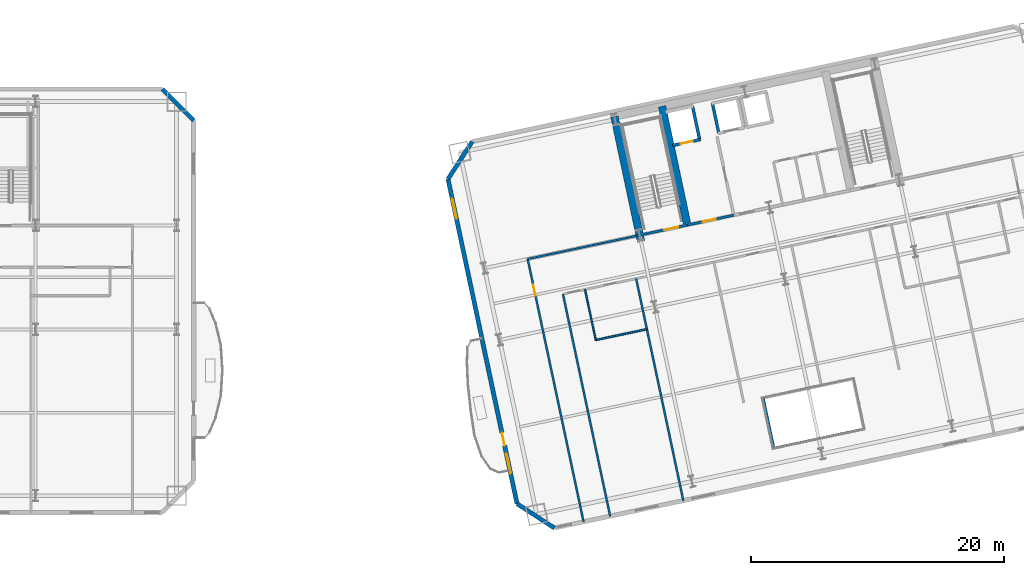
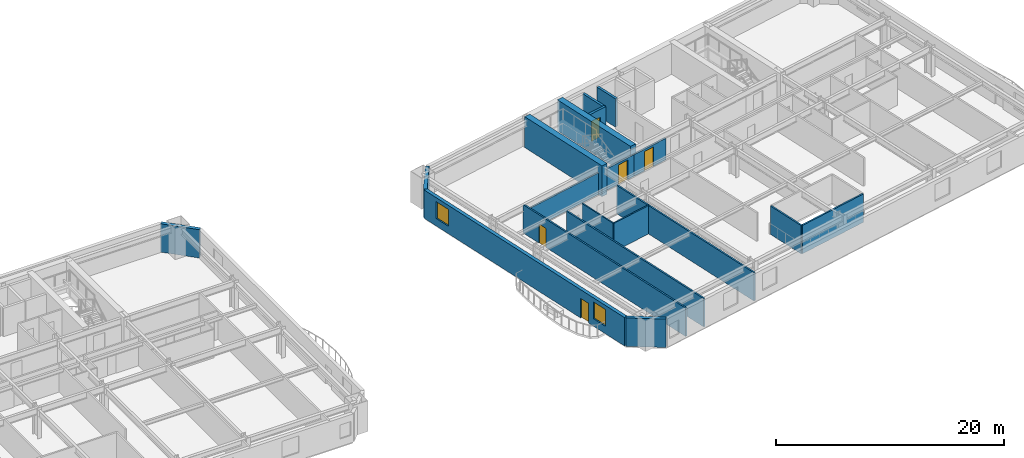
# One storey, part 7 of 16: 19 walls, 5 doors, 2 windows, 7 openings.
"""IFC4 building model written with IfcOpenShell, lengths in metres."""

from ifc_helpers import new_model, si_unit, direction, frame, frame_2d, origin, place, context, subcontext, project, spatial, rectangle, extrude, material, layer, layer_set, type_object, element, fill, save


model = new_model("IFC4")

# Units and contexts
model_context = context("Model", 3, precision=1e-05, world=origin(), true_north=direction((0.0, 1.0)))
body_context = subcontext(model_context, "Body", "Model", "MODEL_VIEW")
ifc_project = project(units=[si_unit("LENGTHUNIT", "METRE"), si_unit("AREAUNIT", "SQUARE_METRE"), si_unit("VOLUMEUNIT", "CUBIC_METRE"), si_unit("PLANEANGLEUNIT", "RADIAN"), si_unit("MASSUNIT", "GRAM", prefix="KILO")], contexts=[model_context])

# Site, building, storey
site_placement = place(None, origin())
site = spatial("IfcSite", under=ifc_project, at=site_placement, CompositionType="ELEMENT")
building_placement = place(site_placement, origin())
building = spatial("IfcBuilding", under=site, at=building_placement, Name="Haevon Station Towers", CompositionType="ELEMENT")
storey_placement = place(building_placement, frame((0.0, 0.0, 57.0)))
storey = spatial("IfcBuildingStorey", under=building, at=storey_placement, Name="L14", CompositionType="ELEMENT", Elevation=57.0)

# Wall, opening, door
ifc_material_1 = material(Name="Gypsum board on steel stud", Category="steel")
ifc_layer_1 = layer(ifc_material_1, 0.199951171875)
ifc_layer_set_1 = layer_set([ifc_layer_1], Name="Gypsum board on steel stud")
wall_type_1 = type_object("IfcWallType", Name="WL-COR200", PredefinedType="PARTITIONING", material=ifc_layer_set_1)
wall_1_placement = place(storey_placement, frame((98.75244140625, 37.4423828125, 0.0), z_axis=(0.0, 0.0, 1.0), x_axis=(0.978143537786, 0.207930804564, 0.0)))
wall_1 = element("IfcWall", 1, at=wall_1_placement, inside=storey, type_object=wall_type_1, Name="WL-ST-ST3-L14", PredefinedType="PARTITIONING", context=body_context, shape_type="SweptSolid", body=[
    extrude(rectangle(XDim=3.85009765625, YDim=0.199951171875, at=frame_2d((1.925048828125, 0.0))), origin(), (0.0, 0.0, 1.0), 2.330078125),
])
opening_1_placement = place(wall_1_placement, frame((2.0, 0.0, 0.0)))
opening_1 = element("IfcOpeningElement", 2, at=opening_1_placement, cuts=wall_1, Name="Opening DR-ST-ST3-L14", PredefinedType="OPENING", context=body_context, shape_type="SweptSolid", body=[
    extrude(rectangle(XDim=1.1201171875, YDim=2.10009765625, at=frame_2d((0.56005859375, 1.050048828125))), frame((0.0, 0.10986328125, 0.0), z_axis=(0.0, -1.0, 0.0), x_axis=(1.0, 0.0, 0.0)), (0.0, 0.0, 1.0), 0.219970703125),
])
ifc_material_2 = material(Name="Engineered oak timber", Category="wood")
door_type_1 = type_object("IfcDoorType", Name="DR-ST-1120", OperationType="NOTDEFINED", PredefinedType="DOOR", material=ifc_material_2)
door_1_placement = place(opening_1_placement, origin())
door_1 = element("IfcDoor", 3, at=door_1_placement, inside=storey, type_object=door_type_1, Name="L14 Escape Stair ST3 Fire Door", OperationType="SINGLE_SWING_LEFT", OverallHeight=2.10009765625, OverallWidth=1.1201171875, PredefinedType="DOOR", context=body_context, shape_type="SweptSolid", body=[
    extrude(rectangle(XDim=1.1201171875, YDim=2.10009765625, at=frame_2d((0.56005859375, 1.050048828125))), frame((0.0, 0.02490234375, 0.0), z_axis=(0.0, -1.0, 0.0), x_axis=(1.0, 0.0, 0.0)), (0.0, 0.0, 1.0), 0.050048828125),
])
fill(opening_1, door_1)

wall_2_placement = place(storey_placement, frame((102.518310546875, 38.242919921875, 0.0), z_axis=(0.0, 0.0, 1.0), x_axis=(0.978153555683, 0.20788367301, 0.0)))
wall_2 = element("IfcWall", 4, at=wall_2_placement, inside=storey, type_object=wall_type_1, Name="WL-T2FFL-L14-S", PredefinedType="PARTITIONING", context=body_context, shape_type="SweptSolid", body=[
    extrude(rectangle(XDim=3.75, YDim=0.199951171875, at=frame_2d((1.875, 0.0))), origin(), (0.0, 0.0, 1.0), 2.330078125),
])
opening_2_placement = place(wall_2_placement, frame((1.25, 0.0, 0.0)))
opening_2 = element("IfcOpeningElement", 5, at=opening_2_placement, cuts=wall_2, Name="Opening DR-T2FFL-L14-S", PredefinedType="OPENING", context=body_context, shape_type="SweptSolid", body=[
    extrude(rectangle(XDim=1.050048828125, YDim=2.10009765625, at=frame_2d((0.52490234375, 1.050048828125))), frame((0.0, 0.10986328125, 0.0), z_axis=(0.0, -1.0, 0.0), x_axis=(1.0, 0.0, 0.0)), (0.0, 0.0, 1.0), 0.219970703125),
])
door_type_2 = type_object("IfcDoorType", Name="DR-FD60-1050", OperationType="NOTDEFINED", PredefinedType="DOOR", material=ifc_material_2)
door_2_placement = place(opening_2_placement, origin())
door_2 = element("IfcDoor", 6, at=door_2_placement, inside=storey, type_object=door_type_2, Name="L14 Tower 2 Firefighting Lift Lobby Door S", OperationType="SINGLE_SWING_RIGHT", OverallHeight=2.10009765625, OverallWidth=1.050048828125, PredefinedType="DOOR", context=body_context, shape_type="SweptSolid", body=[
    extrude(rectangle(XDim=1.050048828125, YDim=2.10009765625, at=frame_2d((0.52490234375, 1.050048828125))), frame((0.0, 0.02490234375, 0.0), z_axis=(0.0, -1.0, 0.0), x_axis=(1.0, 0.0, 0.0)), (0.0, 0.0, 1.0), 0.050048828125),
])
fill(opening_2, door_2)

# Walls
ifc_material_3 = material(Name="Concrete C60/75", Category="concrete")
ifc_layer_2 = layer(ifc_material_3, 0.60009765625)
ifc_layer_set_2 = layer_set([ifc_layer_2], Name="Concrete C60/75")
wall_type_2 = type_object("IfcWallType", Name="WL-CR600", PredefinedType="SHEAR", material=ifc_layer_set_2)
wall_3_placement = place(storey_placement, frame((98.8603515625, 36.933837890625, 0.0), z_axis=(0.0, 0.0, 1.0), x_axis=(-0.20790924889, 0.978148119778, 0.0)))
element("IfcWall", 7, at=wall_3_placement, inside=storey, type_object=wall_type_2, Name="WL-T2CR-L14-W", PredefinedType="SHEAR", context=body_context, shape_type="SweptSolid", body=[
    extrude(rectangle(XDim=10.119873046875, YDim=0.60009765625, at=frame_2d((5.06005859375, 0.0))), origin(), (0.0, 0.0, 1.0), 3.300048828125),
])
wall_4_placement = place(storey_placement, frame((102.518310546875, 38.242919921875, 0.0), z_axis=(0.0, 0.0, 1.0), x_axis=(-0.207927495108, 0.978144241295, 0.0)))
element("IfcWall", 8, at=wall_4_placement, inside=storey, type_object=wall_type_2, Name="WL-T2CR-L14-M1", PredefinedType="SHEAR", context=body_context, shape_type="SweptSolid", body=[
    extrude(rectangle(XDim=9.599853515625, YDim=0.60009765625, at=frame_2d((4.7998046875, 0.0))), origin(), (0.0, 0.0, 1.0), 3.300048828125),
])
ifc_material_4 = material(Name="Precast concrete C45/55", Category="concrete")
ifc_layer_3 = layer(ifc_material_4, 0.340087890625)
ifc_layer_set_3 = layer_set([ifc_layer_3], Name="Precast concrete C45/55")
wall_type_3 = type_object("IfcWallType", Name="WL-EXT-PIER340", PredefinedType="SOLIDWALL", material=ifc_layer_set_3)
wall_5_placement = place(storey_placement, frame((61.0, 49.0, 0.0), z_axis=(0.0, 0.0, 1.0), x_axis=(0.707106781187, -0.707106781187, 0.0)))
element("IfcWall", 9, at=wall_5_placement, inside=storey, type_object=wall_type_3, Name="WL-T1-L14-NEC", PredefinedType="SOLIDWALL", context=body_context, shape_type="SweptSolid", body=[
    extrude(rectangle(XDim=3.53564453125, YDim=0.340087890625, at=frame_2d((1.767822265625, 0.0))), origin(), (0.0, 0.0, 1.0), 3.030029296875),
])
wall_6_placement = place(storey_placement, frame((92.01953125, 14.28662109375, 0.0), z_axis=(0.0, 0.0, 1.0), x_axis=(-0.838672309694, 0.544636352948, 0.0)))
element("IfcWall", 10, at=wall_6_placement, inside=storey, type_object=wall_type_3, Name="WL-T2-L14-SWC", PredefinedType="SOLIDWALL", context=body_context, shape_type="SweptSolid", body=[
    extrude(rectangle(XDim=3.535400390625, YDim=0.340087890625, at=frame_2d((1.767578125, 0.0))), origin(), (0.0, 0.0, 1.0), 3.030029296875),
])

# Wall, openings, door, windows
wall_7_placement = place(storey_placement, frame((89.054443359375, 16.212158203125, 0.0), z_axis=(0.0, 0.0, 1.0), x_axis=(-0.207915485254, 0.978146794194, 0.0)))
wall_7 = element("IfcWall", 11, at=wall_7_placement, inside=storey, type_object=wall_type_3, Name="WL-T2-L14-W", PredefinedType="SOLIDWALL", context=body_context, shape_type="SweptSolid", body=[
    extrude(rectangle(XDim=26.25, YDim=0.340087890625, at=frame_2d((13.125, 0.0))), origin(), (0.0, 0.0, 1.0), 3.030029296875),
])
opening_3_placement = place(wall_7_placement, frame((4.699951171875, 0.0, 0.0)))
opening_3 = element("IfcOpeningElement", 12, at=opening_3_placement, cuts=wall_7, Name="Opening DR-T2-SCAL-L14-W", PredefinedType="OPENING", context=body_context, shape_type="SweptSolid", body=[
    extrude(rectangle(XDim=1.050048828125, YDim=2.10009765625, at=frame_2d((0.52490234375, 1.050048828125))), frame((0.0, 0.179931640625, 0.0), z_axis=(0.0, -1.0, 0.0), x_axis=(1.0, 0.0, 0.0)), (0.0, 0.0, 1.0), 0.360107421875),
])
opening_4_placement = place(wall_7_placement, frame((2.4462890625, 0.0, 0.800048828125)))
opening_4 = element("IfcOpeningElement", 13, at=opening_4_placement, cuts=wall_7, Name="Opening WN-END160", PredefinedType="OPENING", context=body_context, shape_type="SweptSolid", body=[
    extrude(rectangle(XDim=1.60009765625, YDim=1.800048828125, at=frame_2d((0.800048828125, 0.89990234375))), frame((0.0, 0.179931640625, 0.0), z_axis=(0.0, -1.0, 0.0), x_axis=(1.0, 0.0, 0.0)), (0.0, 0.0, 1.0), 0.360107421875),
])
opening_5_placement = place(wall_7_placement, frame((23.02685546875, 0.0, 0.800048828125)))
opening_5 = element("IfcOpeningElement", 14, at=opening_5_placement, cuts=wall_7, Name="Opening WN-END160", PredefinedType="OPENING", context=body_context, shape_type="SweptSolid", body=[
    extrude(rectangle(XDim=1.60009765625, YDim=1.800048828125, at=frame_2d((0.800048828125, 0.89990234375))), frame((0.0, 0.179931640625, 0.0), z_axis=(0.0, -1.0, 0.0), x_axis=(1.0, 0.0, 0.0)), (0.0, 0.0, 1.0), 0.360107421875),
])
ifc_material_5 = material(Name="Thermally broken anodised aluminium and laminated safety glass", Category="aluminium")
door_type_3 = type_object("IfcDoorType", Name="DR-BALC-1050", OperationType="NOTDEFINED", PredefinedType="DOOR", material=ifc_material_5)
door_3_placement = place(opening_3_placement, origin())
door_3 = element("IfcDoor", 15, at=door_3_placement, inside=storey, type_object=door_type_3, Name="Tower 2 L14 West Scalloped Balcony Door", OperationType="SINGLE_SWING_RIGHT", OverallHeight=2.10009765625, OverallWidth=1.050048828125, PredefinedType="DOOR", context=body_context, shape_type="SweptSolid", body=[
    extrude(rectangle(XDim=1.050048828125, YDim=2.10009765625, at=frame_2d((0.52490234375, 1.050048828125))), frame((0.0, 0.02490234375, 0.0), z_axis=(0.0, -1.0, 0.0), x_axis=(1.0, 0.0, 0.0)), (0.0, 0.0, 1.0), 0.050048828125),
])
fill(opening_3, door_3)
ifc_material_6 = material(Name="Low-E triple glazing in thermally broken aluminium", Category="aluminium")
window_type = type_object("IfcWindowType", Name="WN-END160", PartitioningType="SINGLE_PANEL", PredefinedType="WINDOW", material=ifc_material_6)
window_1_placement = place(opening_4_placement, origin())
window_1 = element("IfcWindow", 16, at=window_1_placement, inside=storey, type_object=window_type, Name="WN-T2-L14-W01", OverallHeight=1.800048828125, OverallWidth=1.60009765625, PartitioningType="SINGLE_PANEL", PredefinedType="WINDOW", context=body_context, shape_type="SweptSolid", body=[
    extrude(rectangle(XDim=1.60009765625, YDim=1.800048828125, at=frame_2d((0.800048828125, 0.89990234375))), frame((0.0, 0.030029296875, 0.0), z_axis=(0.0, -1.0, 0.0), x_axis=(1.0, 0.0, 0.0)), (0.0, 0.0, 1.0), 0.06005859375),
])
fill(opening_4, window_1)
window_2_placement = place(opening_5_placement, origin())
window_2 = element("IfcWindow", 17, at=window_2_placement, inside=storey, type_object=window_type, Name="WN-T2-L14-W02", OverallHeight=1.800048828125, OverallWidth=1.60009765625, PartitioningType="SINGLE_PANEL", PredefinedType="WINDOW", context=body_context, shape_type="SweptSolid", body=[
    extrude(rectangle(XDim=1.60009765625, YDim=1.800048828125, at=frame_2d((0.800048828125, 0.89990234375))), frame((0.0, 0.030029296875, 0.0), z_axis=(0.0, -1.0, 0.0), x_axis=(1.0, 0.0, 0.0)), (0.0, 0.0, 1.0), 0.06005859375),
])
fill(opening_5, window_2)

# Walls
wall_8_placement = place(storey_placement, frame((83.5966796875, 41.888427734375, 0.0), z_axis=(0.0, 0.0, 1.0), x_axis=(0.544653380146, 0.838661251934, 0.0)))
element("IfcWall", 18, at=wall_8_placement, inside=storey, type_object=wall_type_3, Name="WL-T2-L14-NWC", PredefinedType="SOLIDWALL", context=body_context, shape_type="SweptSolid", body=[
    extrude(rectangle(XDim=3.535888671875, YDim=0.340087890625, at=frame_2d((1.76806640625, 0.0))), origin(), (0.0, 0.0, 1.0), 3.030029296875),
])
ifc_layer_4 = layer(ifc_material_1, 0.125)
ifc_layer_set_4 = layer_set([ifc_layer_4], Name="Gypsum board on steel stud")
wall_type_4 = type_object("IfcWallType", Name="WL-PRT125", PredefinedType="PARTITIONING", material=ifc_layer_set_4)
wall_9_placement = place(storey_placement, frame((95.27978515625, 29.15380859375, 0.0), z_axis=(0.0, 0.0, 1.0), x_axis=(-0.207904497916, 0.978149129605, 0.0)))
element("IfcWall", 19, at=wall_9_placement, inside=storey, type_object=wall_type_4, Name="WL-T2PT-L14-11", PredefinedType="PARTITIONING", context=body_context, shape_type="SweptSolid", body=[
    extrude(rectangle(XDim=4.08544921875, YDim=0.125, at=frame_2d((2.042724609375, 0.0))), origin(), (0.0, 0.0, 1.0), 3.030029296875),
])
ifc_layer_5 = layer(ifc_material_1, 0.139892578125)
ifc_layer_set_5 = layer_set([ifc_layer_5], Name="Gypsum board on steel stud")
wall_type_5 = type_object("IfcWallType", Name="WL-PRT140", PredefinedType="PARTITIONING", material=ifc_layer_set_5)
wall_10_placement = place(storey_placement, frame((95.27978515625, 29.15380859375, 0.0), z_axis=(0.0, 0.0, 1.0), x_axis=(0.978146085238, 0.207918820535, 0.0)))
element("IfcWall", 20, at=wall_10_placement, inside=storey, type_object=wall_type_5, Name="WL-T2PT-L14-10", PredefinedType="PARTITIONING", context=body_context, shape_type="SweptSolid", body=[
    extrude(rectangle(XDim=4.132080078125, YDim=0.139892578125, at=frame_2d((2.06591796875, 0.0))), origin(), (0.0, 0.0, 1.0), 3.030029296875),
])
ifc_layer_6 = layer(ifc_material_1, 0.159912109375)
ifc_layer_set_6 = layer_set([ifc_layer_6], Name="Gypsum board on steel stud")
wall_type_6 = type_object("IfcWallType", Name="WL-PRT160", PredefinedType="PARTITIONING", material=ifc_layer_set_6)
wall_11_placement = place(storey_placement, frame((96.421142578125, 15.22216796875, 0.0), z_axis=(0.0, 0.0, 1.0), x_axis=(-0.207906091967, 0.978148790789, 0.0)))
element("IfcWall", 21, at=wall_11_placement, inside=storey, type_object=wall_type_6, Name="WL-T2PT-L14-01", PredefinedType="PARTITIONING", context=body_context, shape_type="SweptSolid", body=[
    extrude(rectangle(XDim=17.9501953125, YDim=0.159912109375, at=frame_2d((8.97509765625, 0.0))), origin(), (0.0, 0.0, 1.0), 3.030029296875),
])
wall_12_placement = place(storey_placement, frame((89.900146484375, 35.560791015625, 0.0), z_axis=(0.0, 0.0, 1.0), x_axis=(0.978148085545, 0.207909409948, 0.0)))
element("IfcWall", 22, at=wall_12_placement, inside=storey, type_object=wall_type_6, Name="WL-T2PT-L14-02", PredefinedType="PARTITIONING", context=body_context, shape_type="SweptSolid", body=[
    extrude(rectangle(XDim=9.050048828125, YDim=0.159912109375, at=frame_2d((4.52490234375, 0.0))), origin(), (0.0, 0.0, 1.0), 2.330078125),
])

# Wall, opening, door
wall_13_placement = place(storey_placement, frame((94.318359375, 14.775146484375, 0.0), z_axis=(0.0, 0.0, 1.0), x_axis=(-0.207915642033, 0.978146760869, 0.0)))
wall_13 = element("IfcWall", 23, at=wall_13_placement, inside=storey, type_object=wall_type_6, Name="WL-T2PT-L14-04", PredefinedType="PARTITIONING", context=body_context, shape_type="SweptSolid", body=[
    extrude(rectangle(XDim=21.25, YDim=0.159912109375, at=frame_2d((10.625, 0.0))), origin(), (0.0, 0.0, 1.0), 3.030029296875),
])
opening_6_placement = place(wall_13_placement, frame((18.27001953125, 0.0, 0.0)))
opening_6 = element("IfcOpeningElement", 24, at=opening_6_placement, cuts=wall_13, Name="Opening DR-WL-T2PT-L14-04-01", PredefinedType="OPENING", context=body_context, shape_type="SweptSolid", body=[
    extrude(rectangle(XDim=0.89990234375, YDim=2.050048828125, at=frame_2d((0.449951171875, 1.02490234375))), frame((0.0, 0.08984375, 0.0), z_axis=(0.0, -1.0, 0.0), x_axis=(1.0, 0.0, 0.0)), (0.0, 0.0, 1.0), 0.179931640625),
])
door_type_4 = type_object("IfcDoorType", Name="DR-INT-900", OperationType="NOTDEFINED", PredefinedType="DOOR", material=ifc_material_2)
door_4_placement = place(opening_6_placement, origin())
door_4 = element("IfcDoor", 25, at=door_4_placement, inside=storey, type_object=door_type_4, Name="L14 Tower 2 Room Door 4-1", OperationType="SINGLE_SWING_RIGHT", OverallHeight=2.050048828125, OverallWidth=0.89990234375, PredefinedType="DOOR", context=body_context, shape_type="SweptSolid", body=[
    extrude(rectangle(XDim=0.89990234375, YDim=2.050048828125, at=frame_2d((0.449951171875, 1.02490234375))), frame((0.0, 0.02490234375, 0.0), z_axis=(0.0, -1.0, 0.0), x_axis=(1.0, 0.0, 0.0)), (0.0, 0.0, 1.0), 0.050048828125),
])
fill(opening_6, door_4)

# Walls
wall_14_placement = place(storey_placement, frame((109.379150390625, 20.634521484375, 0.0), z_axis=(0.0, 0.0, 1.0), x_axis=(0.978144974276, 0.207924046946, 0.0)))
element("IfcWall", 26, at=wall_14_placement, inside=storey, type_object=wall_type_6, Name="WL-T2PT-L14-06", PredefinedType="PARTITIONING", context=body_context, shape_type="SweptSolid", body=[
    extrude(rectangle(XDim=7.2001953125, YDim=0.159912109375, at=frame_2d((3.60009765625, 0.0))), origin(), (0.0, 0.0, 1.0), 3.030029296875),
])
wall_15_placement = place(storey_placement, frame((109.379150390625, 20.634521484375, 0.0), z_axis=(0.0, 0.0, 1.0), x_axis=(-0.207944891454, 0.978140543132, 0.0)))
element("IfcWall", 27, at=wall_15_placement, inside=storey, type_object=wall_type_6, Name="WL-T2PT-L14-08", PredefinedType="PARTITIONING", context=body_context, shape_type="SweptSolid", body=[
    extrude(rectangle(XDim=4.0, YDim=0.159912109375, at=frame_2d((2.0, 0.0))), origin(), (0.0, 0.0, 1.0), 3.030029296875),
])
wall_16_placement = place(storey_placement, frame((102.2041015625, 16.451416015625, 0.0), z_axis=(0.0, 0.0, 1.0), x_axis=(-0.207908857961, 0.978148202872, 0.0)))
element("IfcWall", 28, at=wall_16_placement, inside=storey, type_object=wall_type_6, Name="WL-T2PT-L14-12", PredefinedType="PARTITIONING", context=body_context, shape_type="SweptSolid", body=[
    extrude(rectangle(XDim=17.949951171875, YDim=0.159912109375, at=frame_2d((8.97509765625, 0.0))), origin(), (0.0, 0.0, 1.0), 3.030029296875),
])

# Wall, opening, door
ifc_material_7 = material(Name="Concrete C40/50", Category="concrete")
ifc_layer_7 = layer(ifc_material_7, 0.239990234375)
ifc_layer_set_7 = layer_set([ifc_layer_7], Name="Concrete C40/50")
wall_type_7 = type_object("IfcWallType", Name="WL-SHF240", PredefinedType="PARTITIONING", material=ifc_layer_set_7)
wall_17_placement = place(storey_placement, frame((101.353759765625, 44.538330078125, 0.0), z_axis=(0.0, 0.0, 1.0), x_axis=(0.978141002414, 0.207942731049, 0.0)))
wall_17 = element("IfcWall", 29, at=wall_17_placement, inside=storey, type_object=wall_type_7, Name="WL-SHF-FL2-L14", PredefinedType="PARTITIONING", context=body_context, shape_type="SweptSolid", body=[
    extrude(rectangle(XDim=2.260009765625, YDim=0.239990234375, at=frame_2d((1.1298828125, 0.0))), origin(), (0.0, 0.0, 1.0), 3.030029296875),
])
opening_7_placement = place(wall_17_placement, frame((0.655029296875, 0.0, 0.0)))
opening_7 = element("IfcOpeningElement", 30, at=opening_7_placement, cuts=wall_17, Name="Opening LD-FL2-L14", PredefinedType="OPENING", context=body_context, shape_type="SweptSolid", body=[
    extrude(rectangle(XDim=0.949951171875, YDim=2.14990234375, at=frame_2d((0.47509765625, 1.074951171875))), frame((0.0, 0.1298828125, 0.0), z_axis=(0.0, -1.0, 0.0), x_axis=(1.0, 0.0, 0.0)), (0.0, 0.0, 1.0), 0.260009765625),
])
ifc_material_8 = material(Name="Stainless steel and rated core", Category="steel")
door_type_5 = type_object("IfcDoorType", Name="LD-FL950", OperationType="SLIDING_TO_LEFT", PredefinedType="DOOR", material=ifc_material_8)
door_5_placement = place(opening_7_placement, origin())
door_5 = element("IfcDoor", 31, at=door_5_placement, inside=storey, type_object=door_type_5, Name="L14 Lift FL2 Sliding Landing Door", OperationType="SLIDING_TO_LEFT", OverallHeight=2.14990234375, OverallWidth=0.949951171875, PredefinedType="DOOR", context=body_context, shape_type="SweptSolid", body=[
    extrude(rectangle(XDim=0.949951171875, YDim=2.14990234375, at=frame_2d((0.47509765625, 1.074951171875))), frame((0.0, 0.02490234375, 0.0), z_axis=(0.0, -1.0, 0.0), x_axis=(1.0, 0.0, 0.0)), (0.0, 0.0, 1.0), 0.050048828125),
])
fill(opening_7, door_5)

# Walls
wall_18_placement = place(storey_placement, frame((103.486328125, 44.99169921875, 0.0), z_axis=(0.0, 0.0, 1.0), x_axis=(-0.207978798957, 0.978133334052, 0.0)))
element("IfcWall", 32, at=wall_18_placement, inside=storey, type_object=wall_type_7, Name="WL-SHF-FL2-L14-E", PredefinedType="PARTITIONING", context=body_context, shape_type="SweptSolid", body=[
    extrude(rectangle(XDim=2.699951171875, YDim=0.239990234375, at=frame_2d((1.35009765625, 0.0))), origin(), (0.0, 0.0, 1.0), 3.030029296875),
])
wall_19_placement = place(storey_placement, frame((105.009765625, 45.519775390625, 0.0), z_axis=(0.0, 0.0, 1.0), x_axis=(-0.207917150959, 0.978146440129, 0.0)))
element("IfcWall", 33, at=wall_19_placement, inside=storey, type_object=wall_type_7, Name="WL-SHF-PL7-L14-W", PredefinedType="PARTITIONING", context=body_context, shape_type="SweptSolid", body=[
    extrude(rectangle(XDim=2.400146484375, YDim=0.239990234375, at=frame_2d((1.2001953125, 0.0))), origin(), (0.0, 0.0, 1.0), 3.030029296875),
])

save(model, "model.ifc")
